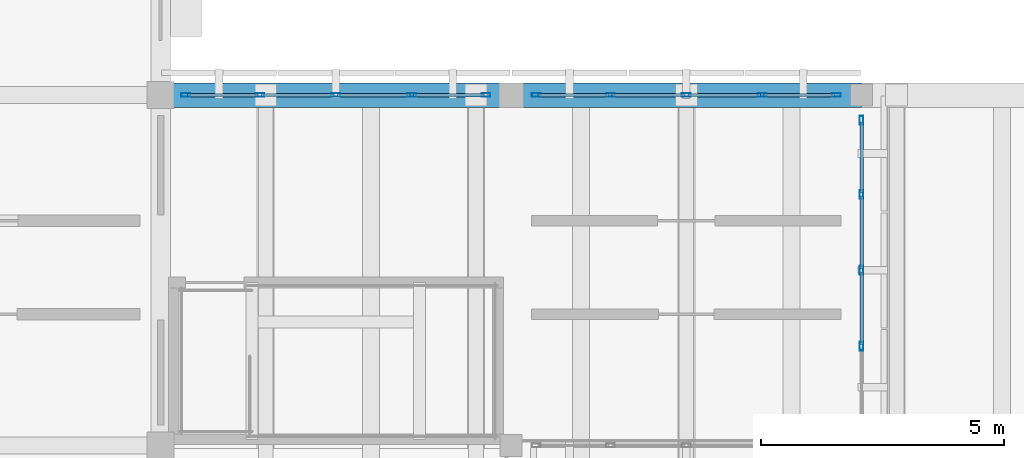
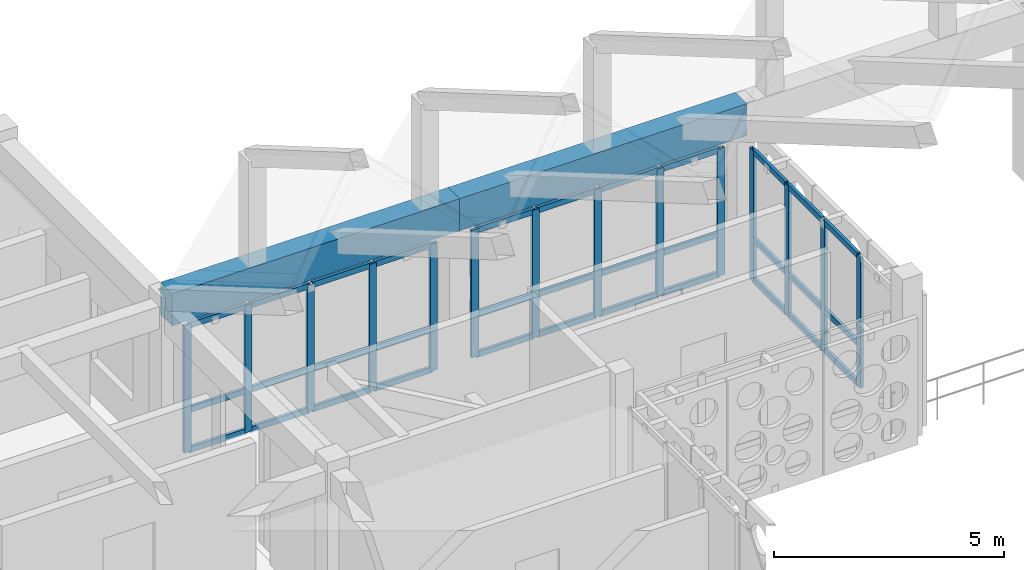
# One storey, part 57 of 171: 47 members, 2 beams, 3 elements without a shape of their own.
"""IFC4 building model written with IfcOpenShell, lengths in metres."""

from ifc_helpers import new_model, si_unit, direction, frame, origin, origin_2d, place, context, subcontext, project, spatial, rectangle, hollow_rectangle, extrude, material, material_profile, profile_set, type_object, element, aggregate, save


model = new_model("IFC4")

# Units and contexts
model_context = context("Model", 3, precision=1e-05, world=origin(), true_north=direction((0.0, 1.0)))
body_context = subcontext(model_context, "Body", "Model", "MODEL_VIEW")
ifc_project = project(units=[si_unit("LENGTHUNIT", "METRE"), si_unit("AREAUNIT", "SQUARE_METRE"), si_unit("VOLUMEUNIT", "CUBIC_METRE"), si_unit("PLANEANGLEUNIT", "RADIAN"), si_unit("MASSUNIT", "GRAM", prefix="KILO")], contexts=[model_context])

# Site, building, storey
site_placement = place(None, origin())
site = spatial("IfcSite", under=ifc_project, at=site_placement, CompositionType="ELEMENT")
building_placement = place(site_placement, origin())
building = spatial("IfcBuilding", under=site, at=building_placement, Name="Aldebral Square Health Centre", CompositionType="ELEMENT")
storey_placement = place(building_placement, frame((0.0, 0.0, 4.5)))
storey = spatial("IfcBuildingStorey", under=building, at=storey_placement, Name="L01", CompositionType="ELEMENT", Elevation=4.5)

# Beams
ifc_material_1 = material(Name="Concrete C40/50", Category="concrete")
ifc_material_profile_1 = material_profile(ifc_material_1, rectangle(XDim=0.5, YDim=0.85009765625, at=origin_2d()), Name="RC 500x850")
ifc_profile_set_1 = profile_set([ifc_material_profile_1], Name="Concrete C40/50")
beam_type = type_object("IfcBeamType", Name="BM-G1", PredefinedType="T_BEAM", material=ifc_profile_set_1)
for number, where, z_axis, x_axis, name in (
    (1, (64.800048828125, 100.800048828125, 4.074951171875), (1.0, 0.0, 0.0), (0.0, 1.0, 0.0), "Waiting Hall diaphragm girder EAVE-N 10"),
    (2, (72.0, 100.800048828125, 4.074951171875), (1.0, 0.0, 0.0), (0.0, 1.0, 0.0), "Waiting Hall diaphragm girder EAVE-N 11"),
):
    element("IfcBeam", number, at=place(storey_placement, frame(where, z_axis=z_axis, x_axis=x_axis)), inside=storey, type_object=beam_type, Name=name, PredefinedType="T_BEAM", context=body_context, shape_type="SweptSolid", body=[
        extrude(rectangle(XDim=0.5, YDim=0.85009765625, at=origin_2d()), origin(), (0.0, 0.0, 1.0), 7.199951171875),
    ])

# Curtain wall, members
ifc_material_2 = material(Name="Aluminium and low-E solar glass", Category="aluminium")
curtain_wall_type = type_object("IfcCurtainWallType", Name="CW-HALL-SYS", PredefinedType="USERDEFINED", material=ifc_material_2)
curtain_wall_1_placement = place(storey_placement, origin())
curtain_wall_1 = element("IfcCurtainWall", 3, at=curtain_wall_1_placement, inside=storey, type_object=curtain_wall_type, Name="L01 V1 hall curtain wall L01-V1-09-13-N", ObjectType="HALL_CURTAIN_WALL", PredefinedType="USERDEFINED")
ifc_material_3 = material(Name="Anodised aluminium mullion", Category="aluminium")
ifc_material_profile_2 = material_profile(ifc_material_3, hollow_rectangle(XDim=0.074951171875, YDim=0.179931640625, WallThickness=0.00390625, at=origin_2d()), Name="CWM 75x180x4")
ifc_profile_set_2 = profile_set([ifc_material_profile_2], Name="Anodised aluminium mullion")
member_type_1 = type_object("IfcMemberType", Name="CWM-STD", PredefinedType="MULLION", material=ifc_profile_set_2)
member_1_placement = place(storey_placement, frame((71.482421875, 100.800048828125, 0.0), z_axis=(0.0, 0.0, 1.0), x_axis=(0.0, -1.0, 0.0)))
member_1 = element("IfcMember", 4, at=member_1_placement, type_object=member_type_1, Name="CW2 mullion 1", PredefinedType="MULLION", context=body_context, shape_type="SweptSolid", body=[
    extrude(hollow_rectangle(XDim=0.074951171875, YDim=0.179931640625, WallThickness=0.00390625, at=origin_2d()), origin(), (0.0, 0.0, 1.0), 3.3701171875),
])
member_2_placement = place(storey_placement, frame((69.9599609375, 100.800048828125, 0.0), z_axis=(0.0, 0.0, 1.0), x_axis=(0.0, -1.0, 0.0)))
member_2 = element("IfcMember", 5, at=member_2_placement, type_object=member_type_1, Name="CW2 mullion 2", PredefinedType="MULLION", context=body_context, shape_type="SweptSolid", body=[
    extrude(hollow_rectangle(XDim=0.074951171875, YDim=0.179931640625, WallThickness=0.00390625, at=origin_2d()), origin(), (0.0, 0.0, 1.0), 3.3701171875),
])
member_3_placement = place(storey_placement, frame((68.39990234375, 100.800048828125, 0.0), z_axis=(0.0, 0.0, 1.0), x_axis=(0.0, -1.0, 0.0)))
member_3 = element("IfcMember", 6, at=member_3_placement, type_object=member_type_1, Name="CW2 mullion 3", PredefinedType="MULLION", context=body_context, shape_type="SweptSolid", body=[
    extrude(hollow_rectangle(XDim=0.074951171875, YDim=0.179931640625, WallThickness=0.00390625, at=origin_2d()), origin(), (0.0, 0.0, 1.0), 3.3701171875),
])
member_4_placement = place(storey_placement, frame((66.840087890625, 100.800048828125, 0.0), z_axis=(0.0, 0.0, 1.0), x_axis=(0.0, -1.0, 0.0)))
member_4 = element("IfcMember", 7, at=member_4_placement, type_object=member_type_1, Name="CW2 mullion 4", PredefinedType="MULLION", context=body_context, shape_type="SweptSolid", body=[
    extrude(hollow_rectangle(XDim=0.074951171875, YDim=0.179931640625, WallThickness=0.00390625, at=origin_2d()), origin(), (0.0, 0.0, 1.0), 3.3701171875),
])
member_5_placement = place(storey_placement, frame((65.3173828125, 100.800048828125, 0.0), z_axis=(0.0, 0.0, 1.0), x_axis=(0.0, -1.0, 0.0)))
member_5 = element("IfcMember", 8, at=member_5_placement, type_object=member_type_1, Name="CW2 mullion 5", PredefinedType="MULLION", context=body_context, shape_type="SweptSolid", body=[
    extrude(hollow_rectangle(XDim=0.074951171875, YDim=0.179931640625, WallThickness=0.00390625, at=origin_2d()), origin(), (0.0, 0.0, 1.0), 3.3701171875),
])

curtain_wall_2_placement = place(storey_placement, origin())
curtain_wall_2 = element("IfcCurtainWall", 9, at=curtain_wall_2_placement, inside=storey, type_object=curtain_wall_type, Name="L01 V1 hall curtain wall L01-V1-10-13-N", ObjectType="HALL_CURTAIN_WALL", PredefinedType="USERDEFINED")
member_6_placement = place(storey_placement, frame((78.6826171875, 100.800048828125, 0.0), z_axis=(0.0, 0.0, 1.0), x_axis=(0.0, -1.0, 0.0)))
member_6 = element("IfcMember", 10, at=member_6_placement, type_object=member_type_1, Name="CW2 mullion 1", PredefinedType="MULLION", context=body_context, shape_type="SweptSolid", body=[
    extrude(hollow_rectangle(XDim=0.074951171875, YDim=0.179931640625, WallThickness=0.00390625, at=origin_2d()), origin(), (0.0, 0.0, 1.0), 3.3701171875),
])
member_7_placement = place(storey_placement, frame((77.159912109375, 100.800048828125, 0.0), z_axis=(0.0, 0.0, 1.0), x_axis=(0.0, -1.0, 0.0)))
member_7 = element("IfcMember", 11, at=member_7_placement, type_object=member_type_1, Name="CW2 mullion 2", PredefinedType="MULLION", context=body_context, shape_type="SweptSolid", body=[
    extrude(hollow_rectangle(XDim=0.074951171875, YDim=0.179931640625, WallThickness=0.00390625, at=origin_2d()), origin(), (0.0, 0.0, 1.0), 3.3701171875),
])
member_8_placement = place(storey_placement, frame((75.60009765625, 100.800048828125, 0.0), z_axis=(0.0, 0.0, 1.0), x_axis=(0.0, -1.0, 0.0)))
member_8 = element("IfcMember", 12, at=member_8_placement, type_object=member_type_1, Name="CW2 mullion 3", PredefinedType="MULLION", context=body_context, shape_type="SweptSolid", body=[
    extrude(hollow_rectangle(XDim=0.074951171875, YDim=0.179931640625, WallThickness=0.00390625, at=origin_2d()), origin(), (0.0, 0.0, 1.0), 3.3701171875),
])
member_9_placement = place(storey_placement, frame((74.0400390625, 100.800048828125, 0.0), z_axis=(0.0, 0.0, 1.0), x_axis=(0.0, -1.0, 0.0)))
member_9 = element("IfcMember", 13, at=member_9_placement, type_object=member_type_1, Name="CW2 mullion 4", PredefinedType="MULLION", context=body_context, shape_type="SweptSolid", body=[
    extrude(hollow_rectangle(XDim=0.074951171875, YDim=0.179931640625, WallThickness=0.00390625, at=origin_2d()), origin(), (0.0, 0.0, 1.0), 3.3701171875),
])
member_10_placement = place(storey_placement, frame((72.517578125, 100.800048828125, 0.0), z_axis=(0.0, 0.0, 1.0), x_axis=(0.0, -1.0, 0.0)))
member_10 = element("IfcMember", 14, at=member_10_placement, type_object=member_type_1, Name="CW2 mullion 5", PredefinedType="MULLION", context=body_context, shape_type="SweptSolid", body=[
    extrude(hollow_rectangle(XDim=0.074951171875, YDim=0.179931640625, WallThickness=0.00390625, at=origin_2d()), origin(), (0.0, 0.0, 1.0), 3.3701171875),
])

curtain_wall_3_placement = place(storey_placement, origin())
curtain_wall_3 = element("IfcCurtainWall", 15, at=curtain_wall_3_placement, inside=storey, type_object=curtain_wall_type, Name="L01 V1 hall curtain wall L01-V1-10-13-E", ObjectType="HALL_CURTAIN_WALL", PredefinedType="USERDEFINED")
member_11_placement = place(storey_placement, frame((79.199951171875, 95.639892578125, 0.0), z_axis=(0.0, 0.0, 1.0), x_axis=(-1.0, 0.0, 0.0)))
member_11 = element("IfcMember", 16, at=member_11_placement, type_object=member_type_1, Name="CW2 mullion 2", PredefinedType="MULLION", context=body_context, shape_type="SweptSolid", body=[
    extrude(hollow_rectangle(XDim=0.074951171875, YDim=0.179931640625, WallThickness=0.00390625, at=origin_2d()), origin(), (0.0, 0.0, 1.0), 3.469970703125),
])
member_12_placement = place(storey_placement, frame((79.199951171875, 97.199951171875, 0.0), z_axis=(0.0, 0.0, 1.0), x_axis=(-1.0, 0.0, 0.0)))
member_12 = element("IfcMember", 17, at=member_12_placement, type_object=member_type_1, Name="CW2 mullion 3", PredefinedType="MULLION", context=body_context, shape_type="SweptSolid", body=[
    extrude(hollow_rectangle(XDim=0.074951171875, YDim=0.179931640625, WallThickness=0.00390625, at=origin_2d()), origin(), (0.0, 0.0, 1.0), 3.469970703125),
])
member_13_placement = place(storey_placement, frame((79.199951171875, 98.760009765625, 0.0), z_axis=(0.0, 0.0, 1.0), x_axis=(-1.0, 0.0, 0.0)))
member_13 = element("IfcMember", 18, at=member_13_placement, type_object=member_type_1, Name="CW2 mullion 4", PredefinedType="MULLION", context=body_context, shape_type="SweptSolid", body=[
    extrude(hollow_rectangle(XDim=0.074951171875, YDim=0.179931640625, WallThickness=0.00390625, at=origin_2d()), origin(), (0.0, 0.0, 1.0), 3.469970703125),
])
member_14_placement = place(storey_placement, frame((79.199951171875, 100.282470703125, 0.0), z_axis=(0.0, 0.0, 1.0), x_axis=(-1.0, 0.0, 0.0)))
member_14 = element("IfcMember", 19, at=member_14_placement, type_object=member_type_1, Name="CW2 mullion 5", PredefinedType="MULLION", context=body_context, shape_type="SweptSolid", body=[
    extrude(hollow_rectangle(XDim=0.074951171875, YDim=0.179931640625, WallThickness=0.00390625, at=origin_2d()), origin(), (0.0, 0.0, 1.0), 3.469970703125),
])

# Member
ifc_material_4 = material(Name="Anodised aluminium transom", Category="aluminium")
ifc_material_profile_3 = material_profile(ifc_material_4, hollow_rectangle(XDim=0.074951171875, YDim=0.14990234375, WallThickness=0.00390625, at=origin_2d()), Name="CWT 75x150x4")
ifc_profile_set_3 = profile_set([ifc_material_profile_3], Name="Anodised aluminium transom")
member_type_2 = type_object("IfcMemberType", Name="CWT-STD", PredefinedType="USERDEFINED", material=ifc_profile_set_3)
member_15_placement = place(storey_placement, frame((71.445068359375, 100.800048828125, 0.03759765625), z_axis=(-1.0, 0.0, 0.0), x_axis=(0.0, -1.0, 0.0)))
member_15 = element("IfcMember", 20, at=member_15_placement, type_object=member_type_2, Name="CW2 transom 1.1", ObjectType="TRANSOM", PredefinedType="USERDEFINED", context=body_context, shape_type="SweptSolid", body=[
    extrude(hollow_rectangle(XDim=0.074951171875, YDim=0.14990234375, WallThickness=0.00390625, at=origin_2d()), origin(), (0.0, 0.0, 1.0), 1.447509765625),
])

member_16_placement = place(storey_placement, frame((71.445068359375, 100.800048828125, 1.10009765625), z_axis=(-1.0, 0.0, 0.0), x_axis=(0.0, -1.0, 0.0)))
member_16 = element("IfcMember", 21, at=member_16_placement, type_object=member_type_2, Name="CW2 transom 1.2", ObjectType="TRANSOM", PredefinedType="USERDEFINED", context=body_context, shape_type="SweptSolid", body=[
    extrude(hollow_rectangle(XDim=0.074951171875, YDim=0.14990234375, WallThickness=0.00390625, at=origin_2d()), origin(), (0.0, 0.0, 1.0), 1.447509765625),
])

member_17_placement = place(storey_placement, frame((71.445068359375, 100.800048828125, 3.33251953125), z_axis=(-1.0, 0.0, 0.0), x_axis=(0.0, -1.0, 0.0)))
member_17 = element("IfcMember", 22, at=member_17_placement, type_object=member_type_2, Name="CW2 transom 1.3", ObjectType="TRANSOM", PredefinedType="USERDEFINED", context=body_context, shape_type="SweptSolid", body=[
    extrude(hollow_rectangle(XDim=0.074951171875, YDim=0.14990234375, WallThickness=0.00390625, at=origin_2d()), origin(), (0.0, 0.0, 1.0), 1.447509765625),
])

member_18_placement = place(storey_placement, frame((69.922607421875, 100.800048828125, 0.03759765625), z_axis=(-1.0, 0.0, 0.0), x_axis=(0.0, -1.0, 0.0)))
member_18 = element("IfcMember", 23, at=member_18_placement, type_object=member_type_2, Name="CW2 transom 2.1", ObjectType="TRANSOM", PredefinedType="USERDEFINED", context=body_context, shape_type="SweptSolid", body=[
    extrude(hollow_rectangle(XDim=0.074951171875, YDim=0.14990234375, WallThickness=0.00390625, at=origin_2d()), origin(), (0.0, 0.0, 1.0), 1.485107421875),
])

member_19_placement = place(storey_placement, frame((69.922607421875, 100.800048828125, 1.10009765625), z_axis=(-1.0, 0.0, 0.0), x_axis=(0.0, -1.0, 0.0)))
member_19 = element("IfcMember", 24, at=member_19_placement, type_object=member_type_2, Name="CW2 transom 2.2", ObjectType="TRANSOM", PredefinedType="USERDEFINED", context=body_context, shape_type="SweptSolid", body=[
    extrude(hollow_rectangle(XDim=0.074951171875, YDim=0.14990234375, WallThickness=0.00390625, at=origin_2d()), origin(), (0.0, 0.0, 1.0), 1.485107421875),
])

member_20_placement = place(storey_placement, frame((69.922607421875, 100.800048828125, 3.33251953125), z_axis=(-1.0, 0.0, 0.0), x_axis=(0.0, -1.0, 0.0)))
member_20 = element("IfcMember", 25, at=member_20_placement, type_object=member_type_2, Name="CW2 transom 2.3", ObjectType="TRANSOM", PredefinedType="USERDEFINED", context=body_context, shape_type="SweptSolid", body=[
    extrude(hollow_rectangle(XDim=0.074951171875, YDim=0.14990234375, WallThickness=0.00390625, at=origin_2d()), origin(), (0.0, 0.0, 1.0), 1.485107421875),
])

member_21_placement = place(storey_placement, frame((68.362548828125, 100.800048828125, 0.03759765625), z_axis=(-1.0, 0.0, 0.0), x_axis=(0.0, -1.0, 0.0)))
member_21 = element("IfcMember", 26, at=member_21_placement, type_object=member_type_2, Name="CW2 transom 3.1", ObjectType="TRANSOM", PredefinedType="USERDEFINED", context=body_context, shape_type="SweptSolid", body=[
    extrude(hollow_rectangle(XDim=0.074951171875, YDim=0.14990234375, WallThickness=0.00390625, at=origin_2d()), origin(), (0.0, 0.0, 1.0), 1.485107421875),
])

member_22_placement = place(storey_placement, frame((68.362548828125, 100.800048828125, 1.10009765625), z_axis=(-1.0, 0.0, 0.0), x_axis=(0.0, -1.0, 0.0)))
member_22 = element("IfcMember", 27, at=member_22_placement, type_object=member_type_2, Name="CW2 transom 3.2", ObjectType="TRANSOM", PredefinedType="USERDEFINED", context=body_context, shape_type="SweptSolid", body=[
    extrude(hollow_rectangle(XDim=0.074951171875, YDim=0.14990234375, WallThickness=0.00390625, at=origin_2d()), origin(), (0.0, 0.0, 1.0), 1.485107421875),
])

member_23_placement = place(storey_placement, frame((68.362548828125, 100.800048828125, 3.33251953125), z_axis=(-1.0, 0.0, 0.0), x_axis=(0.0, -1.0, 0.0)))
member_23 = element("IfcMember", 28, at=member_23_placement, type_object=member_type_2, Name="CW2 transom 3.3", ObjectType="TRANSOM", PredefinedType="USERDEFINED", context=body_context, shape_type="SweptSolid", body=[
    extrude(hollow_rectangle(XDim=0.074951171875, YDim=0.14990234375, WallThickness=0.00390625, at=origin_2d()), origin(), (0.0, 0.0, 1.0), 1.485107421875),
])

member_24_placement = place(storey_placement, frame((66.802490234375, 100.800048828125, 0.03759765625), z_axis=(-1.0, 0.0, 0.0), x_axis=(0.0, -1.0, 0.0)))
member_24 = element("IfcMember", 29, at=member_24_placement, type_object=member_type_2, Name="CW2 transom 4.1", ObjectType="TRANSOM", PredefinedType="USERDEFINED", context=body_context, shape_type="SweptSolid", body=[
    extrude(hollow_rectangle(XDim=0.074951171875, YDim=0.14990234375, WallThickness=0.00390625, at=origin_2d()), origin(), (0.0, 0.0, 1.0), 1.447509765625),
])

member_25_placement = place(storey_placement, frame((66.802490234375, 100.800048828125, 1.10009765625), z_axis=(-1.0, 0.0, 0.0), x_axis=(0.0, -1.0, 0.0)))
member_25 = element("IfcMember", 30, at=member_25_placement, type_object=member_type_2, Name="CW2 transom 4.2", ObjectType="TRANSOM", PredefinedType="USERDEFINED", context=body_context, shape_type="SweptSolid", body=[
    extrude(hollow_rectangle(XDim=0.074951171875, YDim=0.14990234375, WallThickness=0.00390625, at=origin_2d()), origin(), (0.0, 0.0, 1.0), 1.447509765625),
])

member_26_placement = place(storey_placement, frame((66.802490234375, 100.800048828125, 3.33251953125), z_axis=(-1.0, 0.0, 0.0), x_axis=(0.0, -1.0, 0.0)))
member_26 = element("IfcMember", 31, at=member_26_placement, type_object=member_type_2, Name="CW2 transom 4.3", ObjectType="TRANSOM", PredefinedType="USERDEFINED", context=body_context, shape_type="SweptSolid", body=[
    extrude(hollow_rectangle(XDim=0.074951171875, YDim=0.14990234375, WallThickness=0.00390625, at=origin_2d()), origin(), (0.0, 0.0, 1.0), 1.447509765625),
])

aggregate(curtain_wall_1, [member_1, member_2, member_3, member_4, member_5, member_15, member_16, member_17, member_18, member_19, member_20, member_21, member_22, member_23, member_24, member_25, member_26])

member_27_placement = place(storey_placement, frame((78.64501953125, 100.800048828125, 0.03759765625), z_axis=(-1.0, 0.0, 0.0), x_axis=(0.0, -1.0, 0.0)))
member_27 = element("IfcMember", 32, at=member_27_placement, type_object=member_type_2, Name="CW2 transom 1.1", ObjectType="TRANSOM", PredefinedType="USERDEFINED", context=body_context, shape_type="SweptSolid", body=[
    extrude(hollow_rectangle(XDim=0.074951171875, YDim=0.14990234375, WallThickness=0.00390625, at=origin_2d()), origin(), (0.0, 0.0, 1.0), 1.447509765625),
])

member_28_placement = place(storey_placement, frame((78.64501953125, 100.800048828125, 1.10009765625), z_axis=(-1.0, 0.0, 0.0), x_axis=(0.0, -1.0, 0.0)))
member_28 = element("IfcMember", 33, at=member_28_placement, type_object=member_type_2, Name="CW2 transom 1.2", ObjectType="TRANSOM", PredefinedType="USERDEFINED", context=body_context, shape_type="SweptSolid", body=[
    extrude(hollow_rectangle(XDim=0.074951171875, YDim=0.14990234375, WallThickness=0.00390625, at=origin_2d()), origin(), (0.0, 0.0, 1.0), 1.447509765625),
])

member_29_placement = place(storey_placement, frame((78.64501953125, 100.800048828125, 3.33251953125), z_axis=(-1.0, 0.0, 0.0), x_axis=(0.0, -1.0, 0.0)))
member_29 = element("IfcMember", 34, at=member_29_placement, type_object=member_type_2, Name="CW2 transom 1.3", ObjectType="TRANSOM", PredefinedType="USERDEFINED", context=body_context, shape_type="SweptSolid", body=[
    extrude(hollow_rectangle(XDim=0.074951171875, YDim=0.14990234375, WallThickness=0.00390625, at=origin_2d()), origin(), (0.0, 0.0, 1.0), 1.447509765625),
])

member_30_placement = place(storey_placement, frame((77.12255859375, 100.800048828125, 0.03759765625), z_axis=(-1.0, 0.0, 0.0), x_axis=(0.0, -1.0, 0.0)))
member_30 = element("IfcMember", 35, at=member_30_placement, type_object=member_type_2, Name="CW2 transom 2.1", ObjectType="TRANSOM", PredefinedType="USERDEFINED", context=body_context, shape_type="SweptSolid", body=[
    extrude(hollow_rectangle(XDim=0.074951171875, YDim=0.14990234375, WallThickness=0.00390625, at=origin_2d()), origin(), (0.0, 0.0, 1.0), 1.485107421875),
])

member_31_placement = place(storey_placement, frame((77.12255859375, 100.800048828125, 1.10009765625), z_axis=(-1.0, 0.0, 0.0), x_axis=(0.0, -1.0, 0.0)))
member_31 = element("IfcMember", 36, at=member_31_placement, type_object=member_type_2, Name="CW2 transom 2.2", ObjectType="TRANSOM", PredefinedType="USERDEFINED", context=body_context, shape_type="SweptSolid", body=[
    extrude(hollow_rectangle(XDim=0.074951171875, YDim=0.14990234375, WallThickness=0.00390625, at=origin_2d()), origin(), (0.0, 0.0, 1.0), 1.485107421875),
])

member_32_placement = place(storey_placement, frame((77.12255859375, 100.800048828125, 3.33251953125), z_axis=(-1.0, 0.0, 0.0), x_axis=(0.0, -1.0, 0.0)))
member_32 = element("IfcMember", 37, at=member_32_placement, type_object=member_type_2, Name="CW2 transom 2.3", ObjectType="TRANSOM", PredefinedType="USERDEFINED", context=body_context, shape_type="SweptSolid", body=[
    extrude(hollow_rectangle(XDim=0.074951171875, YDim=0.14990234375, WallThickness=0.00390625, at=origin_2d()), origin(), (0.0, 0.0, 1.0), 1.485107421875),
])

member_33_placement = place(storey_placement, frame((75.5625, 100.800048828125, 0.03759765625), z_axis=(-1.0, 0.0, 0.0), x_axis=(0.0, -1.0, 0.0)))
member_33 = element("IfcMember", 38, at=member_33_placement, type_object=member_type_2, Name="CW2 transom 3.1", ObjectType="TRANSOM", PredefinedType="USERDEFINED", context=body_context, shape_type="SweptSolid", body=[
    extrude(hollow_rectangle(XDim=0.074951171875, YDim=0.14990234375, WallThickness=0.00390625, at=origin_2d()), origin(), (0.0, 0.0, 1.0), 1.485107421875),
])

member_34_placement = place(storey_placement, frame((75.5625, 100.800048828125, 1.10009765625), z_axis=(-1.0, 0.0, 0.0), x_axis=(0.0, -1.0, 0.0)))
member_34 = element("IfcMember", 39, at=member_34_placement, type_object=member_type_2, Name="CW2 transom 3.2", ObjectType="TRANSOM", PredefinedType="USERDEFINED", context=body_context, shape_type="SweptSolid", body=[
    extrude(hollow_rectangle(XDim=0.074951171875, YDim=0.14990234375, WallThickness=0.00390625, at=origin_2d()), origin(), (0.0, 0.0, 1.0), 1.485107421875),
])

member_35_placement = place(storey_placement, frame((75.5625, 100.800048828125, 3.33251953125), z_axis=(-1.0, 0.0, 0.0), x_axis=(0.0, -1.0, 0.0)))
member_35 = element("IfcMember", 40, at=member_35_placement, type_object=member_type_2, Name="CW2 transom 3.3", ObjectType="TRANSOM", PredefinedType="USERDEFINED", context=body_context, shape_type="SweptSolid", body=[
    extrude(hollow_rectangle(XDim=0.074951171875, YDim=0.14990234375, WallThickness=0.00390625, at=origin_2d()), origin(), (0.0, 0.0, 1.0), 1.485107421875),
])

member_36_placement = place(storey_placement, frame((74.00244140625, 100.800048828125, 0.03759765625), z_axis=(-1.0, 0.0, 0.0), x_axis=(0.0, -1.0, 0.0)))
member_36 = element("IfcMember", 41, at=member_36_placement, type_object=member_type_2, Name="CW2 transom 4.1", ObjectType="TRANSOM", PredefinedType="USERDEFINED", context=body_context, shape_type="SweptSolid", body=[
    extrude(hollow_rectangle(XDim=0.074951171875, YDim=0.14990234375, WallThickness=0.00390625, at=origin_2d()), origin(), (0.0, 0.0, 1.0), 1.447509765625),
])

member_37_placement = place(storey_placement, frame((74.00244140625, 100.800048828125, 1.10009765625), z_axis=(-1.0, 0.0, 0.0), x_axis=(0.0, -1.0, 0.0)))
member_37 = element("IfcMember", 42, at=member_37_placement, type_object=member_type_2, Name="CW2 transom 4.2", ObjectType="TRANSOM", PredefinedType="USERDEFINED", context=body_context, shape_type="SweptSolid", body=[
    extrude(hollow_rectangle(XDim=0.074951171875, YDim=0.14990234375, WallThickness=0.00390625, at=origin_2d()), origin(), (0.0, 0.0, 1.0), 1.447509765625),
])

member_38_placement = place(storey_placement, frame((74.00244140625, 100.800048828125, 3.33251953125), z_axis=(-1.0, 0.0, 0.0), x_axis=(0.0, -1.0, 0.0)))
member_38 = element("IfcMember", 43, at=member_38_placement, type_object=member_type_2, Name="CW2 transom 4.3", ObjectType="TRANSOM", PredefinedType="USERDEFINED", context=body_context, shape_type="SweptSolid", body=[
    extrude(hollow_rectangle(XDim=0.074951171875, YDim=0.14990234375, WallThickness=0.00390625, at=origin_2d()), origin(), (0.0, 0.0, 1.0), 1.447509765625),
])

aggregate(curtain_wall_2, [member_6, member_7, member_8, member_9, member_10, member_27, member_28, member_29, member_30, member_31, member_32, member_33, member_34, member_35, member_36, member_37, member_38])

member_39_placement = place(storey_placement, frame((79.199951171875, 95.677490234375, 0.03759765625), z_axis=(0.0, 1.0, 0.0), x_axis=(-1.0, 0.0, 0.0)))
member_39 = element("IfcMember", 44, at=member_39_placement, type_object=member_type_2, Name="CW2 transom 2.1", ObjectType="TRANSOM", PredefinedType="USERDEFINED", context=body_context, shape_type="SweptSolid", body=[
    extrude(hollow_rectangle(XDim=0.074951171875, YDim=0.14990234375, WallThickness=0.00390625, at=origin_2d()), origin(), (0.0, 0.0, 1.0), 1.485107421875),
])

member_40_placement = place(storey_placement, frame((79.199951171875, 95.677490234375, 1.10009765625), z_axis=(0.0, 1.0, 0.0), x_axis=(-1.0, 0.0, 0.0)))
member_40 = element("IfcMember", 45, at=member_40_placement, type_object=member_type_2, Name="CW2 transom 2.2", ObjectType="TRANSOM", PredefinedType="USERDEFINED", context=body_context, shape_type="SweptSolid", body=[
    extrude(hollow_rectangle(XDim=0.074951171875, YDim=0.14990234375, WallThickness=0.00390625, at=origin_2d()), origin(), (0.0, 0.0, 1.0), 1.485107421875),
])

member_41_placement = place(storey_placement, frame((79.199951171875, 95.677490234375, 3.4326171875), z_axis=(0.0, 1.0, 0.0), x_axis=(-1.0, 0.0, 0.0)))
member_41 = element("IfcMember", 46, at=member_41_placement, type_object=member_type_2, Name="CW2 transom 2.3", ObjectType="TRANSOM", PredefinedType="USERDEFINED", context=body_context, shape_type="SweptSolid", body=[
    extrude(hollow_rectangle(XDim=0.074951171875, YDim=0.14990234375, WallThickness=0.00390625, at=origin_2d()), origin(), (0.0, 0.0, 1.0), 1.485107421875),
])

member_42_placement = place(storey_placement, frame((79.199951171875, 97.237548828125, 0.03759765625), z_axis=(0.0, 1.0, 0.0), x_axis=(-1.0, 0.0, 0.0)))
member_42 = element("IfcMember", 47, at=member_42_placement, type_object=member_type_2, Name="CW2 transom 3.1", ObjectType="TRANSOM", PredefinedType="USERDEFINED", context=body_context, shape_type="SweptSolid", body=[
    extrude(hollow_rectangle(XDim=0.074951171875, YDim=0.14990234375, WallThickness=0.00390625, at=origin_2d()), origin(), (0.0, 0.0, 1.0), 1.48486328125),
])

member_43_placement = place(storey_placement, frame((79.199951171875, 97.237548828125, 1.10009765625), z_axis=(0.0, 1.0, 0.0), x_axis=(-1.0, 0.0, 0.0)))
member_43 = element("IfcMember", 48, at=member_43_placement, type_object=member_type_2, Name="CW2 transom 3.2", ObjectType="TRANSOM", PredefinedType="USERDEFINED", context=body_context, shape_type="SweptSolid", body=[
    extrude(hollow_rectangle(XDim=0.074951171875, YDim=0.14990234375, WallThickness=0.00390625, at=origin_2d()), origin(), (0.0, 0.0, 1.0), 1.48486328125),
])

member_44_placement = place(storey_placement, frame((79.199951171875, 97.237548828125, 3.4326171875), z_axis=(0.0, 1.0, 0.0), x_axis=(-1.0, 0.0, 0.0)))
member_44 = element("IfcMember", 49, at=member_44_placement, type_object=member_type_2, Name="CW2 transom 3.3", ObjectType="TRANSOM", PredefinedType="USERDEFINED", context=body_context, shape_type="SweptSolid", body=[
    extrude(hollow_rectangle(XDim=0.074951171875, YDim=0.14990234375, WallThickness=0.00390625, at=origin_2d()), origin(), (0.0, 0.0, 1.0), 1.48486328125),
])

member_45_placement = place(storey_placement, frame((79.199951171875, 98.797607421875, 0.03759765625), z_axis=(0.0, 1.0, 0.0), x_axis=(-1.0, 0.0, 0.0)))
member_45 = element("IfcMember", 50, at=member_45_placement, type_object=member_type_2, Name="CW2 transom 4.1", ObjectType="TRANSOM", PredefinedType="USERDEFINED", context=body_context, shape_type="SweptSolid", body=[
    extrude(hollow_rectangle(XDim=0.074951171875, YDim=0.14990234375, WallThickness=0.00390625, at=origin_2d()), origin(), (0.0, 0.0, 1.0), 1.447509765625),
])

member_46_placement = place(storey_placement, frame((79.199951171875, 98.797607421875, 1.10009765625), z_axis=(0.0, 1.0, 0.0), x_axis=(-1.0, 0.0, 0.0)))
member_46 = element("IfcMember", 51, at=member_46_placement, type_object=member_type_2, Name="CW2 transom 4.2", ObjectType="TRANSOM", PredefinedType="USERDEFINED", context=body_context, shape_type="SweptSolid", body=[
    extrude(hollow_rectangle(XDim=0.074951171875, YDim=0.14990234375, WallThickness=0.00390625, at=origin_2d()), origin(), (0.0, 0.0, 1.0), 1.447509765625),
])

member_47_placement = place(storey_placement, frame((79.199951171875, 98.797607421875, 3.4326171875), z_axis=(0.0, 1.0, 0.0), x_axis=(-1.0, 0.0, 0.0)))
member_47 = element("IfcMember", 52, at=member_47_placement, type_object=member_type_2, Name="CW2 transom 4.3", ObjectType="TRANSOM", PredefinedType="USERDEFINED", context=body_context, shape_type="SweptSolid", body=[
    extrude(hollow_rectangle(XDim=0.074951171875, YDim=0.14990234375, WallThickness=0.00390625, at=origin_2d()), origin(), (0.0, 0.0, 1.0), 1.447509765625),
])

aggregate(curtain_wall_3, [member_11, member_12, member_13, member_14, member_39, member_40, member_41, member_42, member_43, member_44, member_45, member_46, member_47])

save(model, "model.ifc")
